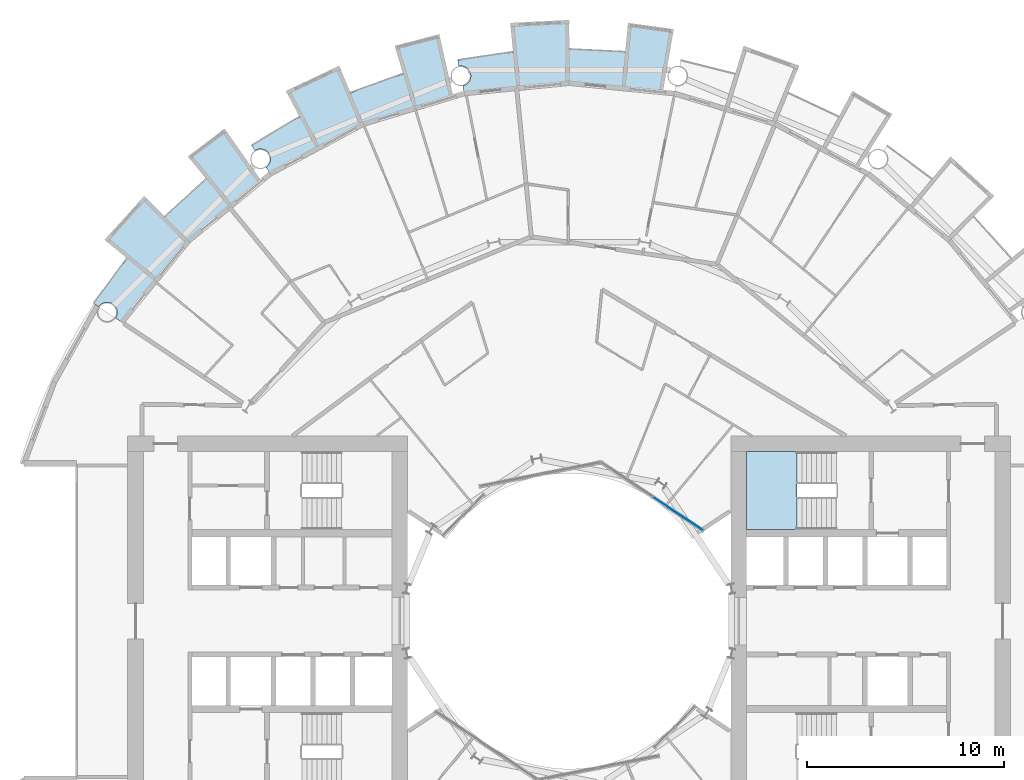
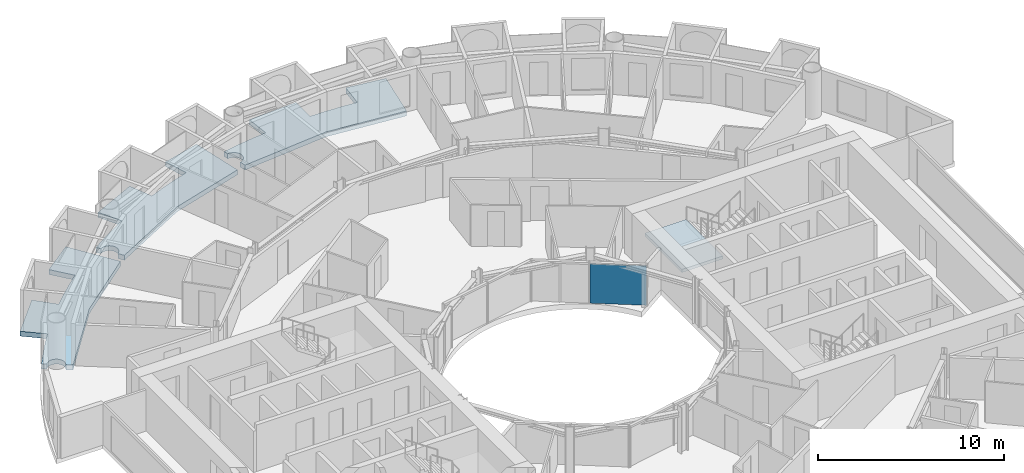
# One storey, part 11 of 26: 4 slabs, 1 plate, 2 elements without a shape of their own.
"""IFC4 building model written with IfcOpenShell, lengths in metres."""

import ifcopenshell
import ifcopenshell.guid

model = None  # the IFC model being written
_history = None  # IfcOwnerHistory: only IFC2X3 demands one
_inside = {}  # id of a spatial element -> (the spatial element, [elements in it])
_under = {}  # id of a project, library or spatial element -> (it, [spatial elements below it])
_declared = {}  # id of a project -> (the project, [libraries it declares])
_typed = {}  # id of a type object -> (the type object, [elements of that type])
_made_of = {}  # id of a material, layer set ... -> (it, [elements and type objects made of it])


def new_model(schema):
    """Start an empty IFC model of exactly this schema.

    Asked for "IFC4X3", IfcOpenShell would pick the latest addendum, in which some entities
    have other attributes; the version numbers below select the first issue.
    IFC2X3 requires an IfcOwnerHistory on every rooted entity: one is made here for all.
    """
    global model, _history
    if schema == "IFC4X3":
        model = ifcopenshell.file(schema_version=(4, 3, 0, 0))
    else:
        model = ifcopenshell.file(schema=schema)
    _inside.clear()
    _under.clear()
    _declared.clear()
    _typed.clear()
    _made_of.clear()
    _history = None
    if model.schema == "IFC2X3":
        org = make("IfcOrganization", Name="unknown")
        user = make(
            "IfcPersonAndOrganization",
            ThePerson=make("IfcPerson", FamilyName="unknown"),
            TheOrganization=org,
        )
        app = make(
            "IfcApplication",
            ApplicationDeveloper=org,
            Version="unknown",
            ApplicationFullName="unknown",
            ApplicationIdentifier="unknown",
        )
        _history = make(
            "IfcOwnerHistory",
            OwningUser=user,
            OwningApplication=app,
            ChangeAction="ADDED",
            CreationDate=0,
        )
    return model


def make(cls, **values):
    """One entity of the class cls with the attributes given. An attribute that is None is left unset."""
    return model.create_entity(
        cls, **{name: value for name, value in values.items() if value is not None}
    )


def rooted(cls, **values):
    """An entity with a GlobalId (a new one), such as an element, a storey or a relation."""
    return make(cls, GlobalId=ifcopenshell.guid.new(), OwnerHistory=_history, **values)


def si_unit(unit_type, name, prefix=None):
    """IfcSIUnit, for example si_unit("LENGTHUNIT", "METRE", prefix="MILLI")."""
    return make("IfcSIUnit", UnitType=unit_type, Prefix=prefix, Name=name)


def assignment(units):
    """IfcUnitAssignment: the units of a project."""
    return None if units is None else make("IfcUnitAssignment", Units=units)


def point(xyz):
    """IfcCartesianPoint."""
    return None if xyz is None else make("IfcCartesianPoint", Coordinates=xyz)


def direction(xyz):
    """IfcDirection."""
    return None if xyz is None else make("IfcDirection", DirectionRatios=xyz)


def frame(location, z_axis=None, x_axis=None):
    """IfcAxis2Placement3D, a coordinate frame: its origin and axes. An axis left out is left unset."""
    return make(
        "IfcAxis2Placement3D",
        Location=point(location),
        Axis=direction(z_axis),
        RefDirection=direction(x_axis),
    )


def frame_2d(location, x_axis=None):
    """IfcAxis2Placement2D, a coordinate frame in the plane: its origin and x axis."""
    return make(
        "IfcAxis2Placement2D", Location=point(location), RefDirection=direction(x_axis)
    )


def origin():
    """The frame at (0, 0, 0) with its axes left unset."""
    return frame((0.0, 0.0, 0.0))


def origin_2d():
    """The frame at (0, 0) in the plane with its x axis left unset."""
    return frame_2d((0.0, 0.0))


def place(relative_to, where):
    """IfcLocalPlacement: puts the frame where relative to a parent placement (None: the world)."""
    return make(
        "IfcLocalPlacement", PlacementRelTo=relative_to, RelativePlacement=where
    )


def context(
    kind, dimensions, precision=None, world=None, true_north=None, identifier=None
):
    """IfcGeometricRepresentationContext, for example the 3D "Model" context."""
    return make(
        "IfcGeometricRepresentationContext",
        ContextIdentifier=identifier,
        ContextType=kind,
        CoordinateSpaceDimension=dimensions,
        Precision=precision,
        WorldCoordinateSystem=world,
        TrueNorth=true_north,
    )


def subcontext(parent, identifier, kind, view, scale=None):
    """IfcGeometricRepresentationSubContext, for example "Body" below "Model"."""
    return make(
        "IfcGeometricRepresentationSubContext",
        ContextIdentifier=identifier,
        ContextType=kind,
        ParentContext=parent,
        TargetScale=scale,
        TargetView=view,
    )


def project(units=None, contexts=None):
    """IfcProject with its units and contexts."""
    return rooted(
        "IfcProject",
        Name="project",
        RepresentationContexts=contexts,
        UnitsInContext=assignment(units),
    )


def spatial(cls, under=None, at=None, **own):
    """A site, building, storey or space (cls), placed at a placement, below another one or the project."""
    s = rooted(cls, ObjectPlacement=at, **own)
    if under is not None:
        _under.setdefault(under.id(), (under, []))[1].append(s)
    return s


def polyline(points):
    """IfcPolyline through the points."""
    return make("IfcPolyline", Points=[point(p) for p in points])


def profile(cls, at=None, kind="AREA", **sizes):
    """A parametric profile (cls). Its sizes go by their IFC names, for example OverallWidth=200.0."""
    return make(cls, ProfileType=kind, Position=at, **sizes)


def rectangle(**sizes):
    """IfcRectangleProfileDef."""
    return profile("IfcRectangleProfileDef", **sizes)


def outline(outer, holes=None, kind="AREA"):
    """IfcArbitraryClosedProfileDef: a profile drawn as a closed curve; with holes, ...WithVoids."""
    if holes is None:
        return make("IfcArbitraryClosedProfileDef", ProfileType=kind, OuterCurve=outer)
    return make(
        "IfcArbitraryProfileDefWithVoids",
        ProfileType=kind,
        OuterCurve=outer,
        InnerCurves=holes,
    )


def extrude(swept, where, along, depth):
    """IfcExtrudedAreaSolid: the profile swept, set in the frame where, extruded along a direction by depth."""
    return make(
        "IfcExtrudedAreaSolid",
        SweptArea=swept,
        Position=where,
        ExtrudedDirection=direction(along),
        Depth=depth,
    )


def shape(context_of_items, identifier, shape_type, items):
    """IfcShapeRepresentation: the items that make up one representation, for example the "Body"."""
    return make(
        "IfcShapeRepresentation",
        ContextOfItems=context_of_items,
        RepresentationIdentifier=identifier,
        RepresentationType=shape_type,
        Items=items,
    )


def material(Name=None, Category=None):
    """IfcMaterial."""
    return make("IfcMaterial", Name=Name, Category=Category)


def layer(
    of_material, thickness, ventilated=None, Name=None, Category=None, Priority=None
):
    """IfcMaterialLayer: one layer of a wall or slab, of a material (None: an air gap)."""
    return make(
        "IfcMaterialLayer",
        Material=of_material,
        LayerThickness=thickness,
        IsVentilated=ventilated,
        Name=Name,
        Category=Category,
        Priority=Priority,
    )


def layer_set(layers, Name=None):
    """IfcMaterialLayerSet."""
    return make("IfcMaterialLayerSet", MaterialLayers=layers, LayerSetName=Name)


def made_of(thing, what):
    """Note that an element or type object is made of a material, layer set ...; save() writes the relation."""
    if what is not None:
        _made_of.setdefault(what.id(), (what, []))[1].append(thing)
    return thing


def type_object(cls, material=None, **own):
    """A type object (cls), such as IfcWallType, which elements share."""
    return made_of(rooted(cls, **own), material)


def element(
    cls,
    number,
    at=None,
    inside=None,
    cuts=None,
    type_object=None,
    material=None,
    context=None,
    identifier="Body",
    shape_type=None,
    held_by="IfcProductDefinitionShape",
    body=None,
    shapes=None,
    **own,
):
    """One element of the class cls, such as IfcWall. Its Tag is "e" and its number.

    at: its placement. inside: the storey or other place that contains it. cuts: it is an
    opening in that element (IfcRelVoidsElement). A single representation is given by context,
    identifier, shape_type and body (its items); several are given by shapes. held_by: the class
    of the entity that holds the representations. save() writes the other relations.
    """
    e = rooted(cls, Tag="e%d" % number, ObjectPlacement=at, **own)
    if body is not None:
        shapes = [shape(context, identifier, shape_type, body)]
    if shapes is not None:
        e.Representation = make(held_by, Representations=shapes)
    if inside is not None:
        _inside.setdefault(inside.id(), (inside, []))[1].append(e)
    if cuts is not None:
        rooted(
            "IfcRelVoidsElement", RelatingBuildingElement=cuts, RelatedOpeningElement=e
        )
    if type_object is not None:
        _typed.setdefault(type_object.id(), (type_object, []))[1].append(e)
    return made_of(e, material)


def aggregate(whole, parts):
    """IfcRelAggregates: a whole, such as a stair, and the parts it consists of."""
    return rooted("IfcRelAggregates", RelatingObject=whole, RelatedObjects=parts)


def save(model, path):
    """Write the relations noted so far, then the file.

    IfcRelAggregates (storeys below a building ...), IfcRelContainedInSpatialStructure (elements
    in a storey), IfcRelDefinesByType, IfcRelAssociatesMaterial and IfcRelDeclares: one each for
    every whole, place, type object, material and project.
    """
    for whole, parts in _under.values():
        aggregate(whole, parts)
    for where, things in _inside.values():
        rooted(
            "IfcRelContainedInSpatialStructure",
            RelatedElements=things,
            RelatingStructure=where,
        )
    for kind, things in _typed.values():
        rooted("IfcRelDefinesByType", RelatedObjects=things, RelatingType=kind)
    for what, things in _made_of.values():
        rooted("IfcRelAssociatesMaterial", RelatedObjects=things, RelatingMaterial=what)
    for by, libraries in _declared.values():
        rooted("IfcRelDeclares", RelatingContext=by, RelatedDefinitions=libraries)
    model.write(path)


model = new_model("IFC4")

# Units and contexts
model_context = context("Model", 3, precision=1e-05, world=origin(), true_north=direction((0.0, 1.0)))
body_context = subcontext(model_context, "Body", "Model", "MODEL_VIEW")
ifc_project = project(units=[si_unit("LENGTHUNIT", "METRE"), si_unit("AREAUNIT", "SQUARE_METRE"), si_unit("VOLUMEUNIT", "CUBIC_METRE"), si_unit("PLANEANGLEUNIT", "RADIAN"), si_unit("MASSUNIT", "GRAM", prefix="KILO")], contexts=[model_context])

# Site, building, storey
site_placement = place(None, origin())
site = spatial("IfcSite", under=ifc_project, at=site_placement, CompositionType="ELEMENT")
building_placement = place(site_placement, origin())
building = spatial("IfcBuilding", under=site, at=building_placement, Name="Maasbend Ring Residences", CompositionType="ELEMENT")
storey_placement = place(building_placement, frame((0.0, 0.0, 47.199951171875)))
storey = spatial("IfcBuildingStorey", under=building, at=storey_placement, Name="L13", CompositionType="ELEMENT", Elevation=47.199951171875)

# Stair, slab
ifc_material_1 = material(Name="Concrete C40/50", Category="concrete")
stair_type = type_object("IfcStairType", Name="CORE STAIR 18 RISERS", PredefinedType="HALF_TURN_STAIR", material=ifc_material_1)
stair_placement = place(storey_placement, origin())
stair = element("IfcStair", 1, at=stair_placement, inside=storey, type_object=stair_type, Name="L13 Exit stair ST-E1", PredefinedType="HALF_TURN_STAIR")
ifc_material_2 = material(Name="Concrete C40/50", Category="concrete")
ifc_layer_1 = layer(ifc_material_2, 0.199951171875)
ifc_layer_set_1 = layer_set([ifc_layer_1], Name="Concrete C40/50")
slab_type_1 = type_object("IfcSlabType", Name="CORE STAIR LANDING 200", PredefinedType="LANDING", material=ifc_layer_set_1)
slab_1_placement = place(storey_placement, frame((0.0, 0.0, 1.324951171875)))
slab_1 = element("IfcSlab", 2, at=slab_1_placement, type_object=slab_type_1, Name="ST-E1 landing 1", PredefinedType="LANDING", context=body_context, shape_type="SweptSolid", body=[
    extrude(outline(polyline([(11.550048828125, 8.60009765625), (9.0, 8.60009765625), (9.0, 4.64990234375), (11.550048828125, 4.64990234375), (11.550048828125, 8.60009765625)])), origin(), (0.0, 0.0, 1.0), 0.2001953125),
])
aggregate(stair, [slab_1])

# Curtain wall, plate
ifc_material_3 = material(Name="Aluminium and clear glass", Category="aluminium")
ifc_layer_2 = layer(ifc_material_3, 0.179931640625)
ifc_layer_set_2 = layer_set([ifc_layer_2], Name="CW-W")
curtain_wall_type = type_object("IfcCurtainWallType", Name="CW-W", PredefinedType="NOTDEFINED", material=ifc_layer_set_2)
curtain_wall_placement = place(storey_placement, origin())
curtain_wall = element("IfcCurtainWall", 3, at=curtain_wall_placement, inside=storey, type_object=curtain_wall_type, Name="Well curtain wall N1", PredefinedType="NOTDEFINED")
ifc_material_4 = material(Name="Glass clear laminated", Category="glass")
ifc_layer_3 = layer(ifc_material_4, 0.031982421875)
ifc_layer_set_3 = layer_set([ifc_layer_3], Name="CWP-W")
plate_type = type_object("IfcPlateType", Name="CWP-W", PredefinedType="CURTAIN_PANEL", material=ifc_layer_set_3)
plate_placement = place(storey_placement, frame((5.51123046875, 5.44580078125, 0.0), z_axis=(0.0, 0.0, 1.0), x_axis=(-0.831469612303, 0.55557023302, 0.0)))
plate = element("IfcPlate", 4, at=plate_placement, type_object=plate_type, Name="Glass panel well face", PredefinedType="CURTAIN_PANEL", context=body_context, shape_type="SweptSolid", body=[
    extrude(rectangle(XDim=3.053955078125, YDim=0.031982421875, at=origin_2d()), origin(), (0.0, 0.0, 1.0), 2.580078125),
])
aggregate(curtain_wall, [plate])

# Slabs
ifc_material_5 = material(Name="Concrete C40/50", Category="concrete")
ifc_layer_4 = layer(ifc_material_5, 0.199951171875)
ifc_layer_set_4 = layer_set([ifc_layer_4], Name="Concrete C40/50")
slab_type_2 = type_object("IfcSlabType", Name="SL-LOGGIA", PredefinedType="FLOOR", material=ifc_layer_set_4)
slab_2_placement = place(storey_placement, frame((0.0, 0.0, -0.349853515625)))
element("IfcSlab", 5, at=slab_2_placement, inside=storey, type_object=slab_type_2, Name="Loggia floor 1", PredefinedType="FLOOR", context=body_context, shape_type="SweptSolid", body=[
    extrude(outline(polyline([(-14.5, 25.114990234375), (-13.6708984375, 25.574951171875), (-13.6708984375, 25.575927734375), (-13.6708984375, 25.575927734375), (-13.6708984375, 25.575927734375), (-13.6708984375, 25.575927734375), (-13.6708984375, 25.575927734375), (-13.6708984375, 25.575927734375), (-13.6708984375, 25.575927734375), (-13.6708984375, 25.575927734375), (-13.6708984375, 25.575927734375), (-13.6708984375, 25.575927734375), (-13.6708984375, 25.575927734375), (-13.6708984375, 25.575927734375), (-13.6708984375, 25.575927734375), (-13.6708984375, 25.575927734375), (-13.6708984375, 25.575927734375), (-13.6708984375, 25.575927734375), (-14.3779296875, 26.89892578125), (-14.3779296875, 26.89892578125), (-14.3779296875, 26.89892578125), (-11.672119140625, 28.177978515625), (-11.672119140625, 28.177978515625), (-11.672119140625, 28.177978515625), (-11.097900390625, 26.79296875), (-11.097900390625, 26.79296875), (-11.097900390625, 26.79296875), (-11.097900390625, 26.79296875), (-11.097900390625, 26.79296875), (-11.097900390625, 26.79296875), (-11.097900390625, 26.79296875), (-11.097900390625, 26.79296875), (-11.097900390625, 26.79296875), (-11.097900390625, 26.79296875), (-11.097900390625, 26.79296875), (-11.097900390625, 26.79296875), (-11.097900390625, 26.79296875), (-11.097900390625, 26.79296875), (-11.096923828125, 26.79296875), (-11.096923828125, 26.79296875), (-11.096923828125, 26.79296875), (-10.215087890625, 27.14111328125), (-10.215087890625, 27.14111328125), (-9.322021484375, 27.4609375), (-9.322021484375, 27.4609375), (-8.4189453125, 27.7509765625), (-8.4189453125, 27.7509765625), (-8.4189453125, 27.7509765625), (-8.4189453125, 27.7509765625), (-8.4189453125, 27.7509765625), (-8.4189453125, 27.7509765625), (-8.41796875, 27.7509765625), (-8.41796875, 27.7509765625), (-8.41796875, 27.7509765625), (-8.41796875, 27.7509765625), (-8.41796875, 27.7509765625), (-8.41796875, 27.751953125), (-8.41796875, 27.751953125), (-8.41796875, 27.751953125), (-8.41796875, 27.751953125), (-8.41796875, 27.751953125), (-8.41796875, 27.751953125), (-8.85400390625, 29.18701171875), (-8.85400390625, 29.18701171875), (-8.85400390625, 29.18701171875), (-6.593994140625, 29.779052734375), (-6.593994140625, 29.779052734375), (-6.593994140625, 29.779052734375), (-5.89111328125, 26.60400390625), (-5.89111328125, 26.60400390625), (-5.89111328125, 26.60400390625), (-7.886962890625, 25.9990234375), (-10.447021484375, 25.221923828125), (-10.447021484375, 25.221923828125), (-10.447021484375, 25.221923828125), (-12.806884765625, 23.9609375), (-15.1669921875, 22.698974609375), (-15.1669921875, 22.698974609375), (-15.1669921875, 22.698974609375), (-15.385009765625, 23.02490234375), (-15.375, 23.031982421875), (-15.364013671875, 23.0390625), (-15.35498046875, 23.047119140625), (-15.344970703125, 23.054931640625), (-15.3349609375, 23.06298828125), (-15.325927734375, 23.071044921875), (-15.31689453125, 23.0791015625), (-15.30810546875, 23.087890625), (-15.299072265625, 23.096923828125), (-15.291015625, 23.10595703125), (-15.281982421875, 23.115966796875), (-15.27392578125, 23.125), (-15.26708984375, 23.135009765625), (-15.259033203125, 23.14501953125), (-15.251953125, 23.155029296875), (-15.2451171875, 23.1650390625), (-15.238037109375, 23.176025390625), (-15.23095703125, 23.18603515625), (-15.22509765625, 23.197021484375), (-15.218994140625, 23.2080078125), (-15.212890625, 23.218994140625), (-15.2080078125, 23.22998046875), (-15.202880859375, 23.241943359375), (-15.197998046875, 23.2529296875), (-15.193115234375, 23.264892578125), (-15.18896484375, 23.27587890625), (-15.18505859375, 23.2880859375), (-15.180908203125, 23.300048828125), (-15.177978515625, 23.31201171875), (-15.174072265625, 23.323974609375), (-15.1708984375, 23.3359375), (-15.1689453125, 23.347900390625), (-15.1669921875, 23.361083984375), (-15.1650390625, 23.373046875), (-15.1630859375, 23.385009765625), (-15.162109375, 23.39794921875), (-15.159912109375, 23.409912109375), (-15.159912109375, 23.422119140625), (-15.158935546875, 23.43505859375), (-15.158935546875, 23.447021484375), (-15.158935546875, 23.4599609375), (-15.159912109375, 23.471923828125), (-15.159912109375, 23.485107421875), (-15.162109375, 23.4970703125), (-15.1630859375, 23.510009765625), (-15.1650390625, 23.52197265625), (-15.1669921875, 23.533935546875), (-15.1689453125, 23.547119140625), (-15.1708984375, 23.55908203125), (-15.174072265625, 23.571044921875), (-15.177978515625, 23.5830078125), (-15.180908203125, 23.594970703125), (-15.18505859375, 23.60693359375), (-15.18896484375, 23.618896484375), (-15.193115234375, 23.6298828125), (-15.197998046875, 23.64208984375), (-15.202880859375, 23.653076171875), (-15.2080078125, 23.6650390625), (-15.212890625, 23.676025390625), (-15.218994140625, 23.68701171875), (-15.22509765625, 23.697998046875), (-15.23095703125, 23.708984375), (-15.238037109375, 23.718994140625), (-15.2451171875, 23.72998046875), (-15.251953125, 23.739990234375), (-15.259033203125, 23.75), (-15.26708984375, 23.760009765625), (-15.27392578125, 23.77001953125), (-15.281982421875, 23.779052734375), (-15.291015625, 23.7890625), (-15.299072265625, 23.798095703125), (-15.30810546875, 23.806884765625), (-15.31689453125, 23.81494140625), (-15.325927734375, 23.823974609375), (-15.3349609375, 23.83203125), (-15.344970703125, 23.840087890625), (-15.35498046875, 23.847900390625), (-15.364013671875, 23.85498046875), (-15.375, 23.863037109375), (-15.385009765625, 23.8701171875), (-15.39501953125, 23.876953125), (-15.406005859375, 23.883056640625), (-15.4169921875, 23.888916015625), (-15.427978515625, 23.89501953125), (-15.43896484375, 23.90087890625), (-15.449951171875, 23.906982421875), (-15.4609375, 23.912109375), (-15.472900390625, 23.9169921875), (-15.48388671875, 23.9208984375), (-15.49609375, 23.926025390625), (-15.508056640625, 23.929931640625), (-15.52001953125, 23.93408203125), (-15.531982421875, 23.93701171875), (-15.5439453125, 23.93994140625), (-15.555908203125, 23.943115234375), (-15.568115234375, 23.946044921875), (-15.580078125, 23.947998046875), (-15.593017578125, 23.949951171875), (-15.60498046875, 23.951904296875), (-15.616943359375, 23.952880859375), (-15.6298828125, 23.9541015625), (-15.64208984375, 23.955078125), (-15.655029296875, 23.955078125), (-15.6669921875, 23.955078125), (-15.679931640625, 23.955078125), (-15.69189453125, 23.955078125), (-15.7041015625, 23.9541015625), (-15.717041015625, 23.952880859375), (-15.72900390625, 23.951904296875), (-15.741943359375, 23.949951171875), (-15.75390625, 23.947998046875), (-15.76611328125, 23.946044921875), (-15.778076171875, 23.943115234375), (-15.791015625, 23.93994140625), (-15.802978515625, 23.93701171875), (-15.81494140625, 23.93408203125), (-15.825927734375, 23.929931640625), (-15.837890625, 23.926025390625), (-15.85009765625, 23.9208984375), (-15.862060546875, 23.9169921875), (-15.873046875, 23.912109375), (-15.884033203125, 23.906982421875), (-15.89599609375, 23.90087890625), (-15.906982421875, 23.89501953125), (-15.9169921875, 23.888916015625), (-15.927978515625, 23.883056640625), (-15.93896484375, 23.876953125), (-15.948974609375, 23.8701171875), (-16.112060546875, 24.113037109375), (-16.112060546875, 24.113037109375), (-16.112060546875, 24.113037109375), (-15.31396484375, 24.626953125), (-15.31396484375, 24.626953125), (-14.5, 25.114990234375), (-14.5, 25.114990234375)])), origin(), (0.0, 0.0, 1.0), 0.31982421875),
])
slab_3_placement = place(storey_placement, frame((0.0, 0.0, -0.349853515625)))
element("IfcSlab", 6, at=slab_3_placement, inside=storey, type_object=slab_type_2, Name="Loggia floor 3", PredefinedType="FLOOR", context=body_context, shape_type="SweptSolid", body=[
    extrude(outline(polyline([(-3.784912109375, 28.751953125), (-2.843017578125, 28.860107421875), (-2.843017578125, 28.860107421875), (-2.843017578125, 28.860107421875), (-2.843017578125, 28.860107421875), (-2.843017578125, 28.860107421875), (-2.843017578125, 28.860107421875), (-2.843017578125, 28.860107421875), (-2.843017578125, 28.860107421875), (-2.843017578125, 28.860107421875), (-2.843017578125, 28.861083984375), (-2.843017578125, 28.861083984375), (-2.843017578125, 28.861083984375), (-2.843017578125, 28.861083984375), (-2.843017578125, 28.861083984375), (-2.843017578125, 28.861083984375), (-2.843017578125, 28.861083984375), (-2.843017578125, 28.861083984375), (-2.989990234375, 30.35302734375), (-2.989990234375, 30.35302734375), (-2.989990234375, 30.35302734375), (0.0, 30.5), (0.0, 30.5), (0.0, 30.5), (0.0, 29.0), (0.0, 29.0), (0.0, 29.0), (0.0, 29.0), (0.0, 29.0), (0.0, 29.0), (0.0, 29.0), (0.0, 29.0), (0.0, 29.0), (0.0, 29.0), (0.0, 29.0), (0.0, 29.0), (0.0, 29.0), (0.0, 29.0), (0.0, 29.0), (0.0, 29.0), (0.0, 29.0), (0.948974609375, 28.98388671875), (0.948974609375, 28.98388671875), (1.89697265625, 28.93798828125), (1.89697265625, 28.93798828125), (2.842041015625, 28.860107421875), (2.842041015625, 28.860107421875), (2.842041015625, 28.860107421875), (2.842041015625, 28.860107421875), (2.842041015625, 28.860107421875), (2.842041015625, 28.860107421875), (2.842041015625, 28.860107421875), (2.842041015625, 28.860107421875), (2.842041015625, 28.861083984375), (2.842041015625, 28.861083984375), (2.842041015625, 28.861083984375), (2.842041015625, 28.861083984375), (2.842041015625, 28.861083984375), (2.843017578125, 28.861083984375), (2.843017578125, 28.861083984375), (2.843017578125, 28.861083984375), (2.843017578125, 28.861083984375), (2.989990234375, 30.35302734375), (2.989990234375, 30.35302734375), (2.989990234375, 30.35302734375), (5.303955078125, 30.034912109375), (5.303955078125, 30.034912109375), (5.303955078125, 30.034912109375), (4.739013671875, 26.8330078125), (4.739013671875, 26.8330078125), (4.739013671875, 26.8330078125), (2.6630859375, 27.0380859375), (0.0, 27.300048828125), (0.0, 27.300048828125), (0.0, 27.300048828125), (-2.6630859375, 27.0380859375), (-5.325927734375, 26.77490234375), (-5.325927734375, 26.77490234375), (-5.325927734375, 26.77490234375), (-5.402099609375, 27.159912109375), (-5.402099609375, 27.159912109375), (-5.389892578125, 27.162109375), (-5.3779296875, 27.1650390625), (-5.365966796875, 27.1689453125), (-5.35400390625, 27.172119140625), (-5.342041015625, 27.176025390625), (-5.330078125, 27.179931640625), (-5.319091796875, 27.18408203125), (-5.306884765625, 27.18896484375), (-5.2958984375, 27.194091796875), (-5.283935546875, 27.198974609375), (-5.27294921875, 27.2041015625), (-5.261962890625, 27.2099609375), (-5.2509765625, 27.216064453125), (-5.239990234375, 27.221923828125), (-5.22998046875, 27.22900390625), (-5.218994140625, 27.236083984375), (-5.208984375, 27.242919921875), (-5.198974609375, 27.25), (-5.18896484375, 27.258056640625), (-5.178955078125, 27.264892578125), (-5.169921875, 27.27294921875), (-5.159912109375, 27.281982421875), (-5.15087890625, 27.2900390625), (-5.14208984375, 27.299072265625), (-5.134033203125, 27.30810546875), (-5.125, 27.31689453125), (-5.116943359375, 27.325927734375), (-5.10888671875, 27.3359375), (-5.10107421875, 27.345947265625), (-5.093017578125, 27.35498046875), (-5.0859375, 27.365966796875), (-5.0791015625, 27.3759765625), (-5.072021484375, 27.385986328125), (-5.06591796875, 27.39697265625), (-5.05908203125, 27.407958984375), (-5.052978515625, 27.4189453125), (-5.048095703125, 27.429931640625), (-5.0419921875, 27.44091796875), (-5.037109375, 27.451904296875), (-5.031982421875, 27.464111328125), (-5.028076171875, 27.47509765625), (-5.02294921875, 27.487060546875), (-5.01904296875, 27.4990234375), (-5.014892578125, 27.510986328125), (-5.011962890625, 27.52294921875), (-5.009033203125, 27.534912109375), (-5.006103515625, 27.547119140625), (-5.0029296875, 27.55908203125), (-5.0009765625, 27.571044921875), (-4.9990234375, 27.583984375), (-4.9970703125, 27.595947265625), (-4.99609375, 27.60791015625), (-4.9951171875, 27.62109375), (-4.993896484375, 27.633056640625), (-4.993896484375, 27.64599609375), (-4.993896484375, 27.657958984375), (-4.993896484375, 27.6708984375), (-4.993896484375, 27.68310546875), (-4.9951171875, 27.695068359375), (-4.99609375, 27.7080078125), (-4.9970703125, 27.719970703125), (-4.9990234375, 27.73291015625), (-5.0009765625, 27.7451171875), (-5.0029296875, 27.757080078125), (-5.006103515625, 27.76904296875), (-5.009033203125, 27.781982421875), (-5.011962890625, 27.7939453125), (-5.014892578125, 27.805908203125), (-5.01904296875, 27.81689453125), (-5.02294921875, 27.8291015625), (-5.028076171875, 27.841064453125), (-5.031982421875, 27.85302734375), (-5.037109375, 27.864013671875), (-5.0419921875, 27.875), (-5.048095703125, 27.886962890625), (-5.052978515625, 27.89794921875), (-5.05908203125, 27.907958984375), (-5.06591796875, 27.9189453125), (-5.072021484375, 27.929931640625), (-5.0791015625, 27.93994140625), (-5.0859375, 27.950927734375), (-5.093017578125, 27.9609375), (-5.10107421875, 27.970947265625), (-5.10888671875, 27.97998046875), (-5.116943359375, 27.989990234375), (-5.125, 27.9990234375), (-5.134033203125, 28.008056640625), (-5.14208984375, 28.01708984375), (-5.15087890625, 28.02587890625), (-5.159912109375, 28.034912109375), (-5.169921875, 28.04296875), (-5.178955078125, 28.051025390625), (-5.18896484375, 28.05908203125), (-5.198974609375, 28.06591796875), (-5.208984375, 28.072998046875), (-5.218994140625, 28.080078125), (-5.22998046875, 28.0869140625), (-5.239990234375, 28.093994140625), (-5.2509765625, 28.10009765625), (-5.261962890625, 28.10595703125), (-5.27294921875, 28.112060546875), (-5.283935546875, 28.116943359375), (-5.2958984375, 28.123046875), (-5.306884765625, 28.126953125), (-5.319091796875, 28.132080078125), (-5.330078125, 28.135986328125), (-5.342041015625, 28.139892578125), (-5.35400390625, 28.14404296875), (-5.365966796875, 28.14794921875), (-5.3779296875, 28.15087890625), (-5.389892578125, 28.154052734375), (-5.402099609375, 28.156005859375), (-5.4150390625, 28.158935546875), (-5.427001953125, 28.160888671875), (-5.43896484375, 28.162109375), (-5.451904296875, 28.1640625), (-5.464111328125, 28.1650390625), (-5.47705078125, 28.1650390625), (-5.489013671875, 28.166015625), (-5.501953125, 28.166015625), (-5.513916015625, 28.166015625), (-5.52587890625, 28.1650390625), (-5.5390625, 28.1650390625), (-5.551025390625, 28.1640625), (-5.56396484375, 28.162109375), (-5.575927734375, 28.160888671875), (-5.587890625, 28.158935546875), (-5.60107421875, 28.156005859375), (-5.60107421875, 28.156005859375), (-5.657958984375, 28.443115234375), (-5.657958984375, 28.443115234375), (-5.657958984375, 28.443115234375), (-4.72412109375, 28.613037109375), (-4.72412109375, 28.613037109375), (-3.784912109375, 28.751953125), (-3.784912109375, 28.751953125)])), origin(), (0.0, 0.0, 1.0), 0.31982421875),
])
slab_4_placement = place(storey_placement, frame((0.0, 0.0, -0.349853515625)))
element("IfcSlab", 7, at=slab_4_placement, inside=storey, type_object=slab_type_2, Name="Loggia floor 5", PredefinedType="FLOOR", context=body_context, shape_type="SweptSolid", body=[
    extrude(outline(polyline([(-23.007080078125, 17.654052734375), (-22.41796875, 18.39697265625), (-22.41796875, 18.39697265625), (-22.41796875, 18.39697265625), (-22.41796875, 18.39697265625), (-22.41796875, 18.39697265625), (-22.41796875, 18.39697265625), (-22.41796875, 18.39697265625), (-22.41796875, 18.39697265625), (-22.41796875, 18.39697265625), (-22.41796875, 18.39697265625), (-22.41796875, 18.39697265625), (-22.41796875, 18.39794921875), (-22.41796875, 18.39794921875), (-22.41796875, 18.39794921875), (-22.41796875, 18.39794921875), (-22.41796875, 18.39794921875), (-22.41796875, 18.39794921875), (-23.576904296875, 19.34912109375), (-23.576904296875, 19.34912109375), (-23.576904296875, 19.34912109375), (-21.56689453125, 21.56689453125), (-21.56689453125, 21.56689453125), (-21.56689453125, 21.56689453125), (-20.506103515625, 20.506103515625), (-20.506103515625, 20.506103515625), (-20.506103515625, 20.506103515625), (-20.506103515625, 20.506103515625), (-20.506103515625, 20.506103515625), (-20.506103515625, 20.506103515625), (-20.506103515625, 20.506103515625), (-20.506103515625, 20.506103515625), (-20.506103515625, 20.506103515625), (-20.506103515625, 20.506103515625), (-20.506103515625, 20.506103515625), (-20.506103515625, 20.506103515625), (-20.506103515625, 20.506103515625), (-20.506103515625, 20.506103515625), (-20.506103515625, 20.506103515625), (-20.506103515625, 20.506103515625), (-20.506103515625, 20.506103515625), (-19.823974609375, 21.166015625), (-19.823974609375, 21.166015625), (-19.12109375, 21.802978515625), (-19.12109375, 21.802978515625), (-18.39794921875, 22.4169921875), (-18.39794921875, 22.4169921875), (-18.39794921875, 22.4169921875), (-18.39794921875, 22.4169921875), (-18.39794921875, 22.4169921875), (-18.39794921875, 22.4169921875), (-18.39794921875, 22.4169921875), (-18.39794921875, 22.4169921875), (-18.39794921875, 22.4169921875), (-18.39794921875, 22.4169921875), (-18.39794921875, 22.4169921875), (-18.39794921875, 22.4169921875), (-18.39794921875, 22.41796875), (-18.39794921875, 22.41796875), (-18.39794921875, 22.41796875), (-18.39794921875, 22.41796875), (-18.39794921875, 22.41796875), (-19.34912109375, 23.576904296875), (-19.34912109375, 23.576904296875), (-19.34912109375, 23.576904296875), (-17.488037109375, 24.989013671875), (-17.488037109375, 24.989013671875), (-17.488037109375, 24.989013671875), (-15.623046875, 22.324951171875), (-15.623046875, 22.324951171875), (-15.623046875, 22.324951171875), (-17.236083984375, 21.001953125), (-19.303955078125, 19.303955078125), (-19.303955078125, 19.303955078125), (-19.303955078125, 19.303955078125), (-21.001953125, 17.236083984375), (-22.698974609375, 15.1669921875), (-22.698974609375, 15.1669921875), (-22.698974609375, 15.1669921875), (-23.02490234375, 15.385009765625), (-23.02490234375, 15.385009765625), (-23.01806640625, 15.39501953125), (-23.011962890625, 15.406005859375), (-23.0048828125, 15.4169921875), (-22.9990234375, 15.427978515625), (-22.993896484375, 15.43896484375), (-22.988037109375, 15.449951171875), (-22.98291015625, 15.4609375), (-22.97802734375, 15.472900390625), (-22.972900390625, 15.48388671875), (-22.968994140625, 15.49609375), (-22.965087890625, 15.508056640625), (-22.9609375, 15.52001953125), (-22.9580078125, 15.531982421875), (-22.955078125, 15.5439453125), (-22.951904296875, 15.555908203125), (-22.948974609375, 15.568115234375), (-22.947021484375, 15.580078125), (-22.945068359375, 15.593017578125), (-22.943115234375, 15.60498046875), (-22.94189453125, 15.616943359375), (-22.94091796875, 15.6298828125), (-22.93994140625, 15.64208984375), (-22.93994140625, 15.655029296875), (-22.93896484375, 15.6669921875), (-22.93994140625, 15.679931640625), (-22.93994140625, 15.69189453125), (-22.94091796875, 15.7041015625), (-22.94189453125, 15.717041015625), (-22.943115234375, 15.72900390625), (-22.945068359375, 15.741943359375), (-22.947021484375, 15.75390625), (-22.948974609375, 15.76611328125), (-22.951904296875, 15.778076171875), (-22.955078125, 15.791015625), (-22.9580078125, 15.802978515625), (-22.9609375, 15.81494140625), (-22.965087890625, 15.825927734375), (-22.968994140625, 15.837890625), (-22.972900390625, 15.85009765625), (-22.97802734375, 15.862060546875), (-22.98291015625, 15.873046875), (-22.988037109375, 15.884033203125), (-22.993896484375, 15.89599609375), (-22.9990234375, 15.906982421875), (-23.0048828125, 15.9169921875), (-23.011962890625, 15.927978515625), (-23.01806640625, 15.93896484375), (-23.02490234375, 15.948974609375), (-23.031982421875, 15.9599609375), (-23.0390625, 15.969970703125), (-23.047119140625, 15.97998046875), (-23.054931640625, 15.989013671875), (-23.06298828125, 15.9990234375), (-23.071044921875, 16.008056640625), (-23.0791015625, 16.01708984375), (-23.087890625, 16.02587890625), (-23.096923828125, 16.034912109375), (-23.10595703125, 16.0439453125), (-23.115966796875, 16.052001953125), (-23.125, 16.06005859375), (-23.135009765625, 16.068115234375), (-23.14501953125, 16.074951171875), (-23.155029296875, 16.08203125), (-23.1650390625, 16.089111328125), (-23.176025390625, 16.095947265625), (-23.18603515625, 16.10302734375), (-23.197021484375, 16.10888671875), (-23.2080078125, 16.114990234375), (-23.218994140625, 16.12109375), (-23.22998046875, 16.1259765625), (-23.241943359375, 16.132080078125), (-23.2529296875, 16.135986328125), (-23.264892578125, 16.14111328125), (-23.27587890625, 16.14501953125), (-23.2880859375, 16.14892578125), (-23.300048828125, 16.153076171875), (-23.31201171875, 16.156982421875), (-23.323974609375, 16.159912109375), (-23.3359375, 16.1630859375), (-23.347900390625, 16.1650390625), (-23.361083984375, 16.16796875), (-23.373046875, 16.169921875), (-23.385009765625, 16.1708984375), (-23.39794921875, 16.173095703125), (-23.409912109375, 16.174072265625), (-23.422119140625, 16.174072265625), (-23.43505859375, 16.175048828125), (-23.447021484375, 16.175048828125), (-23.4599609375, 16.175048828125), (-23.471923828125, 16.174072265625), (-23.485107421875, 16.174072265625), (-23.4970703125, 16.173095703125), (-23.510009765625, 16.1708984375), (-23.52197265625, 16.169921875), (-23.533935546875, 16.16796875), (-23.547119140625, 16.1650390625), (-23.55908203125, 16.1630859375), (-23.571044921875, 16.159912109375), (-23.5830078125, 16.156982421875), (-23.594970703125, 16.153076171875), (-23.60693359375, 16.14892578125), (-23.618896484375, 16.14501953125), (-23.6298828125, 16.14111328125), (-23.64208984375, 16.135986328125), (-23.653076171875, 16.132080078125), (-23.6650390625, 16.1259765625), (-23.676025390625, 16.12109375), (-23.68701171875, 16.114990234375), (-23.697998046875, 16.10888671875), (-23.708984375, 16.10302734375), (-23.718994140625, 16.095947265625), (-23.72998046875, 16.089111328125), (-23.739990234375, 16.08203125), (-23.75, 16.074951171875), (-23.760009765625, 16.068115234375), (-23.77001953125, 16.06005859375), (-23.779052734375, 16.052001953125), (-23.7890625, 16.0439453125), (-23.798095703125, 16.034912109375), (-23.806884765625, 16.02587890625), (-23.81494140625, 16.01708984375), (-23.823974609375, 16.008056640625), (-23.83203125, 15.9990234375), (-23.840087890625, 15.989013671875), (-23.847900390625, 15.97998046875), (-23.85498046875, 15.969970703125), (-23.863037109375, 15.9599609375), (-23.8701171875, 15.948974609375), (-23.8701171875, 15.948974609375), (-24.113037109375, 16.112060546875), (-24.113037109375, 16.112060546875), (-24.113037109375, 16.112060546875), (-23.572998046875, 16.89208984375), (-23.572998046875, 16.89208984375), (-23.007080078125, 17.654052734375), (-23.007080078125, 17.654052734375)])), origin(), (0.0, 0.0, 1.0), 0.31982421875),
])

save(model, "model.ifc")
